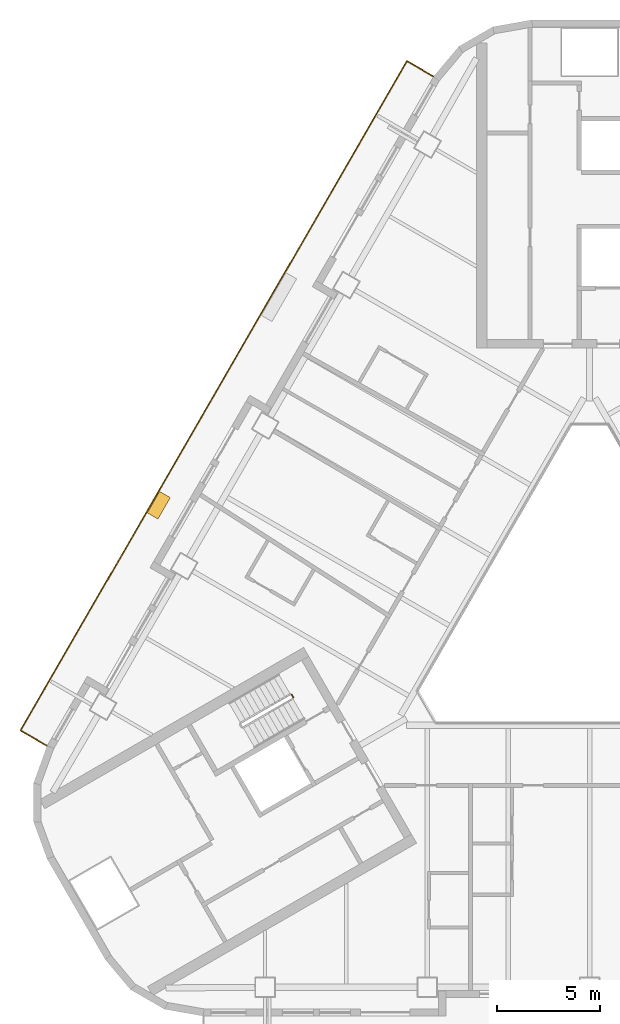
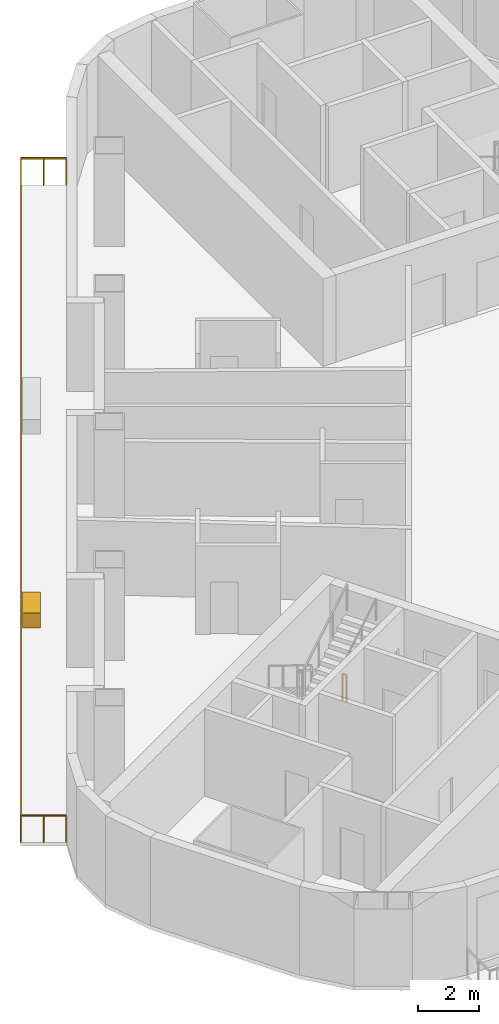
# One storey, part 10 of 13: 2 railings, 1 covering.
"""IFC4 building model written with IfcOpenShell, lengths in metres."""

from ifc_helpers import new_model, si_unit, direction, frame, origin, origin_2d, place, context, subcontext, project, spatial, rectangle, extrude, material, type_object, element, save


model = new_model("IFC4")

# Units and contexts
model_context = context("Model", 3, precision=1e-05, world=origin(), true_north=direction((0.0, 1.0)))
body_context = subcontext(model_context, "Body", "Model", "MODEL_VIEW")
ifc_project = project(units=[si_unit("LENGTHUNIT", "METRE"), si_unit("AREAUNIT", "SQUARE_METRE"), si_unit("VOLUMEUNIT", "CUBIC_METRE"), si_unit("PLANEANGLEUNIT", "RADIAN"), si_unit("MASSUNIT", "GRAM", prefix="KILO")], contexts=[model_context])

# Site, building, storey
site_placement = place(None, origin())
site = spatial("IfcSite", under=ifc_project, at=site_placement, CompositionType="ELEMENT")
building_placement = place(site_placement, origin())
building = spatial("IfcBuilding", under=site, at=building_placement, Name="Apuvela Tower Hotel", CompositionType="ELEMENT")
storey_placement = place(building_placement, frame((0.0, 0.0, 57.60009765625)))
storey = spatial("IfcBuildingStorey", under=building, at=storey_placement, Name="L11", CompositionType="ELEMENT", Elevation=57.60009765625)

# Railings
ifc_material_1 = material(Name="Steel S275 balustrade", Category="steel")
railing_type_1 = type_object("IfcRailingType", Name="COR-GUARD-1100", PredefinedType="GUARDRAIL", material=ifc_material_1)
railing_1_placement = place(storey_placement, frame((-14.500732421875, -3.984130859375, 0.0)))
element("IfcRailing", 1, at=railing_1_placement, inside=storey, type_object=railing_type_1, Name="L11 ST2 stair guard 4", PredefinedType="GUARDRAIL", context=body_context, shape_type="SweptSolid", body=[
    extrude(rectangle(XDim=0.048095703125, YDim=0.048095703125, at=origin_2d()), frame((0.0, 0.0, 1.076171875), z_axis=(0.499816412211, -0.866131372301, 0.0), x_axis=(0.866131372301, 0.499816412211, 0.0)), (0.0, 0.0, 1.0), 0.14990234375),
    extrude(rectangle(XDim=0.0419921875, YDim=0.0419921875, at=origin_2d()), origin(), (0.0, 0.0, 1.0), 1.052001953125),
    extrude(rectangle(XDim=0.0419921875, YDim=0.0419921875, at=origin_2d()), frame((0.074951171875, -0.1298828125, 0.0)), (0.0, 0.0, 1.0), 1.052001953125),
])
ifc_material_2 = material(Name="Stainless steel 316 rail with laminated glass infill", Category="steel")
railing_type_2 = type_object("IfcRailingType", Name="ENV-GUARD-1100", PredefinedType="GUARDRAIL", material=ifc_material_2)
railing_2_placement = place(storey_placement, frame((-7.59228515625, 26.110107421875, 0.0)))
element("IfcRailing", 2, at=railing_2_placement, inside=storey, type_object=railing_type_2, Name="Balcony guard NW L11", PredefinedType="GUARDRAIL", context=body_context, shape_type="SweptSolid", body=[
    extrude(rectangle(XDim=0.050048828125, YDim=0.050048828125, at=origin_2d()), frame((0.0, 0.0, 1.0751953125), z_axis=(-0.86599040064, 0.500060622324, 0.0), x_axis=(-0.500060622324, -0.86599040064, 0.0)), (0.0, 0.0, 1.0), 1.499755859375),
    extrude(rectangle(XDim=0.050048828125, YDim=0.050048828125, at=origin_2d()), frame((-1.298828125, 0.75, 1.0751953125), z_axis=(-0.500000437506, -0.86602515119, 0.0), x_axis=(0.86602515119, -0.500000437506, 0.0)), (0.0, 0.0, 1.0), 37.6318359375),
    extrude(rectangle(XDim=0.050048828125, YDim=0.050048828125, at=origin_2d()), frame((-20.11474609375, -31.840087890625, 1.0751953125), z_axis=(0.866031096941, -0.499990139034, 0.0), x_axis=(0.499990139034, 0.866031096941, 0.0)), (0.0, 0.0, 1.0), 1.5),
    extrude(rectangle(XDim=0.0400390625, YDim=0.0400390625, at=origin_2d()), origin(), (0.0, 0.0, 1.0), 1.050048828125),
    extrude(rectangle(XDim=0.0400390625, YDim=0.0400390625, at=origin_2d()), frame((-0.6494140625, 0.375, 0.0)), (0.0, 0.0, 1.0), 1.050048828125),
    extrude(rectangle(XDim=0.0400390625, YDim=0.0400390625, at=origin_2d()), frame((-1.298828125, 0.75, 0.0)), (0.0, 0.0, 1.0), 1.050048828125),
    extrude(rectangle(XDim=0.0400390625, YDim=0.0400390625, at=origin_2d()), frame((-1.88671875, -0.2685546875, 0.0)), (0.0, 0.0, 1.0), 1.050048828125),
    extrude(rectangle(XDim=0.0400390625, YDim=0.0400390625, at=origin_2d()), frame((-2.474853515625, -1.286865234375, 0.0)), (0.0, 0.0, 1.0), 1.050048828125),
    extrude(rectangle(XDim=0.0400390625, YDim=0.0400390625, at=origin_2d()), frame((-3.062744140625, -2.305419921875, 0.0)), (0.0, 0.0, 1.0), 1.050048828125),
    extrude(rectangle(XDim=0.0400390625, YDim=0.0400390625, at=origin_2d()), frame((-3.65087890625, -3.32373046875, 0.0)), (0.0, 0.0, 1.0), 1.050048828125),
    extrude(rectangle(XDim=0.0400390625, YDim=0.0400390625, at=origin_2d()), frame((-4.23876953125, -4.34228515625, 0.0)), (0.0, 0.0, 1.0), 1.050048828125),
    extrude(rectangle(XDim=0.0400390625, YDim=0.0400390625, at=origin_2d()), frame((-4.826904296875, -5.360595703125, 0.0)), (0.0, 0.0, 1.0), 1.050048828125),
    extrude(rectangle(XDim=0.0400390625, YDim=0.0400390625, at=origin_2d()), frame((-5.414794921875, -6.379150390625, 0.0)), (0.0, 0.0, 1.0), 1.050048828125),
    extrude(rectangle(XDim=0.0400390625, YDim=0.0400390625, at=origin_2d()), frame((-6.0029296875, -7.3974609375, 0.0)), (0.0, 0.0, 1.0), 1.050048828125),
    extrude(rectangle(XDim=0.0400390625, YDim=0.0400390625, at=origin_2d()), frame((-6.5908203125, -8.416015625, 0.0)), (0.0, 0.0, 1.0), 1.050048828125),
    extrude(rectangle(XDim=0.0400390625, YDim=0.0400390625, at=origin_2d()), frame((-7.1787109375, -9.434326171875, 0.0)), (0.0, 0.0, 1.0), 1.050048828125),
    extrude(rectangle(XDim=0.0400390625, YDim=0.0400390625, at=origin_2d()), frame((-7.766845703125, -10.452880859375, 0.0)), (0.0, 0.0, 1.0), 1.050048828125),
    extrude(rectangle(XDim=0.0400390625, YDim=0.0400390625, at=origin_2d()), frame((-8.354736328125, -11.47119140625, 0.0)), (0.0, 0.0, 1.0), 1.050048828125),
    extrude(rectangle(XDim=0.0400390625, YDim=0.0400390625, at=origin_2d()), frame((-8.94287109375, -12.48974609375, 0.0)), (0.0, 0.0, 1.0), 1.050048828125),
    extrude(rectangle(XDim=0.0400390625, YDim=0.0400390625, at=origin_2d()), frame((-9.53076171875, -13.508056640625, 0.0)), (0.0, 0.0, 1.0), 1.050048828125),
    extrude(rectangle(XDim=0.0400390625, YDim=0.0400390625, at=origin_2d()), frame((-10.118896484375, -14.526611328125, 0.0)), (0.0, 0.0, 1.0), 1.050048828125),
    extrude(rectangle(XDim=0.0400390625, YDim=0.0400390625, at=origin_2d()), frame((-10.706787109375, -15.544921875, 0.0)), (0.0, 0.0, 1.0), 1.050048828125),
    extrude(rectangle(XDim=0.0400390625, YDim=0.0400390625, at=origin_2d()), frame((-11.294677734375, -16.5634765625, 0.0)), (0.0, 0.0, 1.0), 1.050048828125),
    extrude(rectangle(XDim=0.0400390625, YDim=0.0400390625, at=origin_2d()), frame((-11.8828125, -17.58203125, 0.0)), (0.0, 0.0, 1.0), 1.050048828125),
    extrude(rectangle(XDim=0.0400390625, YDim=0.0400390625, at=origin_2d()), frame((-12.470703125, -18.600341796875, 0.0)), (0.0, 0.0, 1.0), 1.050048828125),
    extrude(rectangle(XDim=0.0400390625, YDim=0.0400390625, at=origin_2d()), frame((-13.058837890625, -19.618896484375, 0.0)), (0.0, 0.0, 1.0), 1.050048828125),
    extrude(rectangle(XDim=0.0400390625, YDim=0.0400390625, at=origin_2d()), frame((-13.646728515625, -20.63720703125, 0.0)), (0.0, 0.0, 1.0), 1.050048828125),
    extrude(rectangle(XDim=0.0400390625, YDim=0.0400390625, at=origin_2d()), frame((-14.23486328125, -21.65576171875, 0.0)), (0.0, 0.0, 1.0), 1.050048828125),
    extrude(rectangle(XDim=0.0400390625, YDim=0.0400390625, at=origin_2d()), frame((-14.82275390625, -22.674072265625, 0.0)), (0.0, 0.0, 1.0), 1.050048828125),
    extrude(rectangle(XDim=0.0400390625, YDim=0.0400390625, at=origin_2d()), frame((-15.41064453125, -23.692626953125, 0.0)), (0.0, 0.0, 1.0), 1.050048828125),
    extrude(rectangle(XDim=0.0400390625, YDim=0.0400390625, at=origin_2d()), frame((-15.998779296875, -24.7109375, 0.0)), (0.0, 0.0, 1.0), 1.050048828125),
    extrude(rectangle(XDim=0.0400390625, YDim=0.0400390625, at=origin_2d()), frame((-16.586669921875, -25.7294921875, 0.0)), (0.0, 0.0, 1.0), 1.050048828125),
    extrude(rectangle(XDim=0.0400390625, YDim=0.0400390625, at=origin_2d()), frame((-17.1748046875, -26.747802734375, 0.0)), (0.0, 0.0, 1.0), 1.050048828125),
    extrude(rectangle(XDim=0.0400390625, YDim=0.0400390625, at=origin_2d()), frame((-17.7626953125, -27.766357421875, 0.0)), (0.0, 0.0, 1.0), 1.050048828125),
    extrude(rectangle(XDim=0.0400390625, YDim=0.0400390625, at=origin_2d()), frame((-18.350830078125, -28.78466796875, 0.0)), (0.0, 0.0, 1.0), 1.050048828125),
    extrude(rectangle(XDim=0.0400390625, YDim=0.0400390625, at=origin_2d()), frame((-18.938720703125, -29.80322265625, 0.0)), (0.0, 0.0, 1.0), 1.050048828125),
    extrude(rectangle(XDim=0.0400390625, YDim=0.0400390625, at=origin_2d()), frame((-19.52685546875, -30.821533203125, 0.0)), (0.0, 0.0, 1.0), 1.050048828125),
    extrude(rectangle(XDim=0.0400390625, YDim=0.0400390625, at=origin_2d()), frame((-20.11474609375, -31.840087890625, 0.0)), (0.0, 0.0, 1.0), 1.050048828125),
    extrude(rectangle(XDim=0.0400390625, YDim=0.0400390625, at=origin_2d()), frame((-19.46533203125, -32.215087890625, 0.0)), (0.0, 0.0, 1.0), 1.050048828125),
    extrude(rectangle(XDim=0.0400390625, YDim=0.0400390625, at=origin_2d()), frame((-18.815673828125, -32.590087890625, 0.0)), (0.0, 0.0, 1.0), 1.050048828125),
])

# Covering
ifc_material_3 = material(Name="Planting substrate and soil, planted")
covering_type = type_object("IfcCoveringType", Name="ENV-PLANTER-1200x600", PredefinedType="USERDEFINED", material=ifc_material_3)
covering_placement = place(storey_placement, frame((-20.970947265625, 5.237060546875, -0.000244140625), z_axis=(0.0, 0.0, 1.0), x_axis=(-0.5, -0.866025403784, 0.0)))
element("IfcCovering", 3, at=covering_placement, inside=storey, type_object=covering_type, Name="Planter NW6", ObjectType="PLANTER", PredefinedType="USERDEFINED", context=body_context, shape_type="SweptSolid", body=[
    extrude(rectangle(XDim=1.199951171875, YDim=0.60009765625, at=origin_2d()), origin(), (0.0, 0.0, 1.0), 0.60009765625),
])

save(model, "model.ifc")
